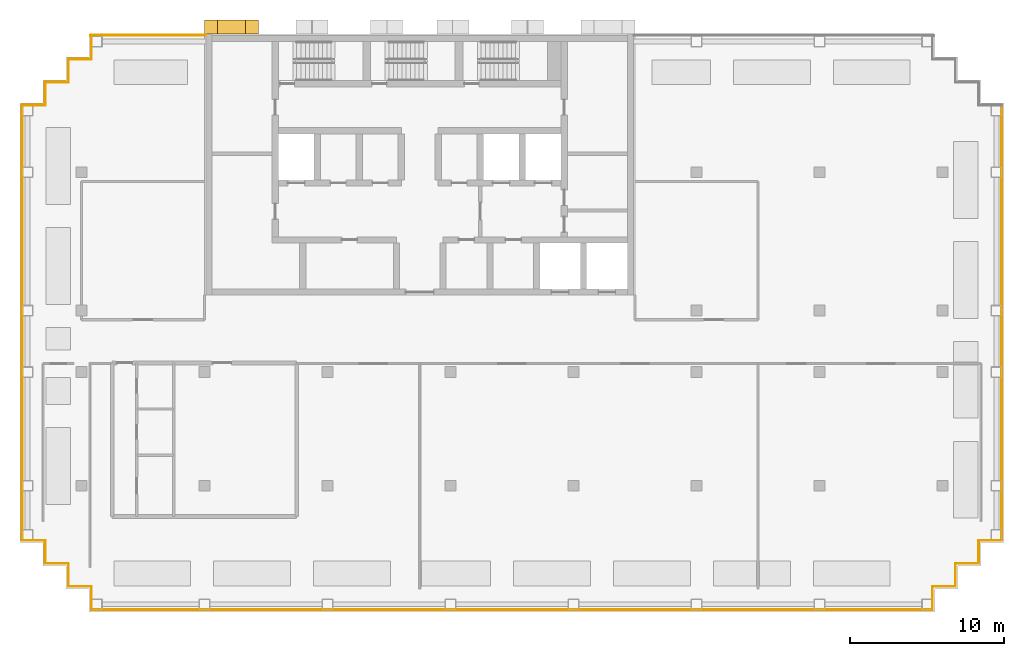
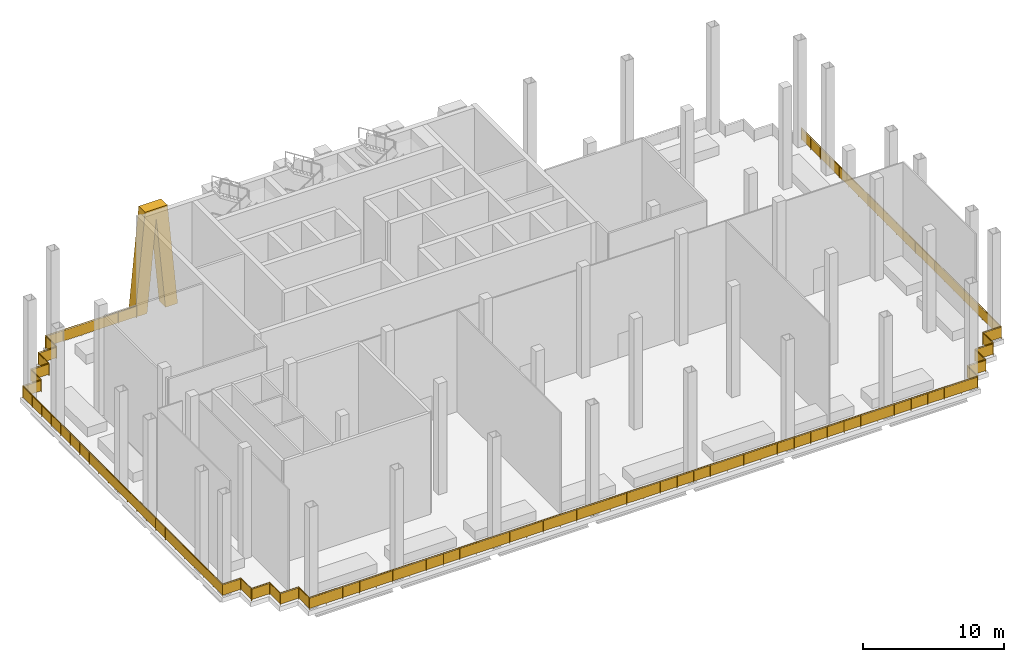
# One storey, part 6 of 9: 30 railings, 1 shading device.
"""IFC4 building model written with IfcOpenShell, lengths in metres."""

from ifc_helpers import new_model, si_unit, direction, frame, origin, origin_2d, place, context, subcontext, project, spatial, polyline, rectangle, circle, outline, extrude, material, layer, layer_set, type_object, element, save


model = new_model("IFC4")

# Units and contexts
model_context = context("Model", 3, precision=1e-05, world=origin(), true_north=direction((0.0, 1.0)))
body_context = subcontext(model_context, "Body", "Model", "MODEL_VIEW")
ifc_project = project(units=[si_unit("LENGTHUNIT", "METRE"), si_unit("AREAUNIT", "SQUARE_METRE"), si_unit("VOLUMEUNIT", "CUBIC_METRE"), si_unit("PLANEANGLEUNIT", "RADIAN"), si_unit("MASSUNIT", "GRAM", prefix="KILO")], contexts=[model_context])

# Site, building, storey
site_placement = place(None, origin())
site = spatial("IfcSite", under=ifc_project, at=site_placement, CompositionType="ELEMENT")
building_placement = place(site_placement, origin())
building = spatial("IfcBuilding", under=site, at=building_placement, Name="Vidyagriha Tower", CompositionType="ELEMENT")
storey_placement = place(building_placement, frame((0.0, 0.0, 194.10009765625)))
storey = spatial("IfcBuildingStorey", under=building, at=storey_placement, Name="L51", CompositionType="ELEMENT", Elevation=194.10009765625)

# Shading device
ifc_material_1 = material(Name="Precast concrete C40/50 with brick facing", Category="concrete")
ifc_layer = layer(ifc_material_1, 1.0)
ifc_layer_set = layer_set([ifc_layer], Name="Precast concrete C40/50 with brick facing")
shading_device_type = type_object("IfcShadingDeviceType", Name="Brick-faced rear rib forking 8 degrees", PredefinedType="USERDEFINED", material=ifc_layer_set)
shading_device_placement = place(storey_placement, frame((-10.5, 20.449951171875, 0.0), z_axis=(0.0, 0.0, 1.0), x_axis=(-1.0, 0.0, 0.0)))
element("IfcShadingDevice", 1, at=shading_device_placement, inside=storey, type_object=shading_device_type, Name="Rear rib fork L51 R08.5a", ObjectType="BLADE FIN", PredefinedType="USERDEFINED", context=body_context, shape_type="SweptSolid", body=[
    extrude(outline(polyline([(1.0, 0.0), (1.75, 7.919921875), (2.5, 0.0), (3.5, 0.0), (2.666748046875, 8.7998046875), (0.833251953125, 8.7998046875), (0.0, 0.0), (1.0, 0.0)])), frame((0.0, 0.449951171875, 0.0), z_axis=(0.0, -1.0, 0.0), x_axis=(1.0, 0.0, 0.0)), (0.0, 0.0, 1.0), 0.89990234375),
])

# Railings
ifc_material_2 = material(Name="Steel ASTM A500 Grade C black painted", Category="steel")
railing_type_1 = type_object("IfcRailingType", Name="Gallery guard 1100", PredefinedType="GUARDRAIL", material=ifc_material_2)
railing_1_placement = place(storey_placement, frame((-21.39990234375, 19.85009765625, 0.0)))
element("IfcRailing", 2, at=railing_1_placement, inside=storey, type_object=railing_type_1, Name="Gallery guard L51 1", PredefinedType="GUARDRAIL", context=body_context, shape_type="SweptSolid", body=[
    extrude(circle(Radius=0.02490234375, at=origin_2d()), frame((0.0, 0.0, 1.0751953125), z_axis=(0.0, 1.0, 0.0), x_axis=(-1.0, 0.0, 0.0)), (0.0, 0.0, 1.0), 0.0498046875),
    extrude(circle(Radius=0.02490234375, at=origin_2d()), frame((0.0, 0.0498046875, 1.0751953125), z_axis=(1.0, 0.0, 0.0), x_axis=(0.0, 1.0, 0.0)), (0.0, 0.0, 1.0), 7.469970703125),
    extrude(circle(Radius=0.02001953125, at=origin_2d()), origin(), (0.0, 0.0, 1.0), 1.050048828125),
    extrude(circle(Radius=0.02001953125, at=origin_2d()), frame((0.0, 0.0498046875, 0.0)), (0.0, 0.0, 1.0), 1.050048828125),
    extrude(circle(Radius=0.02001953125, at=origin_2d()), frame((1.493896484375, 0.0498046875, 0.0)), (0.0, 0.0, 1.0), 1.050048828125),
    extrude(circle(Radius=0.02001953125, at=origin_2d()), frame((2.988037109375, 0.0498046875, 0.0)), (0.0, 0.0, 1.0), 1.050048828125),
    extrude(circle(Radius=0.02001953125, at=origin_2d()), frame((4.48193359375, 0.0498046875, 0.0)), (0.0, 0.0, 1.0), 1.050048828125),
    extrude(circle(Radius=0.02001953125, at=origin_2d()), frame((5.97607421875, 0.0498046875, 0.0)), (0.0, 0.0, 1.0), 1.050048828125),
    extrude(circle(Radius=0.02001953125, at=origin_2d()), frame((7.469970703125, 0.0498046875, 0.0)), (0.0, 0.0, 1.0), 1.050048828125),
    extrude(rectangle(XDim=0.010009765625, YDim=0.900146484375, at=origin_2d()), frame((0.0, 0.0, 0.550048828125), z_axis=(0.0, 1.0, 0.0), x_axis=(-1.0, 0.0, 0.0)), (0.0, 0.0, 1.0), 0.0498046875),
    extrude(rectangle(XDim=0.010009765625, YDim=0.900146484375, at=origin_2d()), frame((0.0, 0.0498046875, 0.550048828125), z_axis=(1.0, 0.0, 0.0), x_axis=(0.0, 1.0, 0.0)), (0.0, 0.0, 1.0), 7.469970703125),
])
ifc_material_3 = material(Name="Steel ASTM A500 Grade C black painted", Category="steel")
railing_type_2 = type_object("IfcRailingType", Name="Wind floor guard 1100", PredefinedType="GUARDRAIL", material=ifc_material_3)
for number, where, name in (
    (3, (37.85009765625, 15.35009765625, 0.0), "Wind floor guard L51 7"),
    (4, (37.85009765625, 5.916748046875, 0.0), "Wind floor guard L51 8"),
    (5, (37.85009765625, -3.5166015625, 0.0), "Wind floor guard L51 9"),
):
    element("IfcRailing", number, at=place(storey_placement, frame(where)), inside=storey, type_object=railing_type_2, Name=name, PredefinedType="GUARDRAIL", context=body_context, shape_type="SweptSolid", body=[
        extrude(circle(Radius=0.02490234375, at=origin_2d()), frame((0.0, 0.0, 1.0751953125), z_axis=(0.0, -1.0, 0.0), x_axis=(1.0, 0.0, 0.0)), (0.0, 0.0, 1.0), 9.433349609375),
        extrude(circle(Radius=0.02001953125, at=origin_2d()), origin(), (0.0, 0.0, 1.0), 1.050048828125),
        extrude(circle(Radius=0.02001953125, at=origin_2d()), frame((0.0, -1.34765625, 0.0)), (0.0, 0.0, 1.0), 1.050048828125),
        extrude(circle(Radius=0.02001953125, at=origin_2d()), frame((0.0, -2.6953125, 0.0)), (0.0, 0.0, 1.0), 1.050048828125),
        extrude(circle(Radius=0.02001953125, at=origin_2d()), frame((0.0, -4.04296875, 0.0)), (0.0, 0.0, 1.0), 1.050048828125),
        extrude(circle(Radius=0.02001953125, at=origin_2d()), frame((0.0, -5.390380859375, 0.0)), (0.0, 0.0, 1.0), 1.050048828125),
        extrude(circle(Radius=0.02001953125, at=origin_2d()), frame((0.0, -6.738037109375, 0.0)), (0.0, 0.0, 1.0), 1.050048828125),
        extrude(circle(Radius=0.02001953125, at=origin_2d()), frame((0.0, -8.085693359375, 0.0)), (0.0, 0.0, 1.0), 1.050048828125),
        extrude(circle(Radius=0.02001953125, at=origin_2d()), frame((0.0, -9.433349609375, 0.0)), (0.0, 0.0, 1.0), 1.050048828125),
        extrude(rectangle(XDim=0.010009765625, YDim=0.900146484375, at=origin_2d()), frame((0.0, 0.0, 0.550048828125), z_axis=(0.0, -1.0, 0.0), x_axis=(1.0, 0.0, 0.0)), (0.0, 0.0, 1.0), 9.433349609375),
    ])
railing_2_placement = place(storey_placement, frame((37.85009765625, -12.949951171875, 0.0)))
element("IfcRailing", 6, at=railing_2_placement, inside=storey, type_object=railing_type_2, Name="Wind floor guard L51 10", PredefinedType="GUARDRAIL", context=body_context, shape_type="SweptSolid", body=[
    extrude(circle(Radius=0.02490234375, at=origin_2d()), frame((0.0, 0.0, 1.0751953125), z_axis=(-1.0, 0.0, 0.0), x_axis=(0.0, -1.0, 0.0)), (0.0, 0.0, 1.0), 1.5),
    extrude(circle(Radius=0.02001953125, at=origin_2d()), origin(), (0.0, 0.0, 1.0), 1.050048828125),
    extrude(circle(Radius=0.02001953125, at=origin_2d()), frame((-1.5, 0.0, 0.0)), (0.0, 0.0, 1.0), 1.050048828125),
    extrude(rectangle(XDim=0.010009765625, YDim=0.900146484375, at=origin_2d()), frame((0.0, 0.0, 0.550048828125), z_axis=(-1.0, 0.0, 0.0), x_axis=(0.0, -1.0, 0.0)), (0.0, 0.0, 1.0), 1.5),
])
railing_3_placement = place(storey_placement, frame((36.35009765625, -12.949951171875, 0.0)))
element("IfcRailing", 7, at=railing_3_placement, inside=storey, type_object=railing_type_2, Name="Wind floor guard L51 11", PredefinedType="GUARDRAIL", context=body_context, shape_type="SweptSolid", body=[
    extrude(circle(Radius=0.02490234375, at=origin_2d()), frame((0.0, 0.0, 1.0751953125), z_axis=(0.0, -1.0, 0.0), x_axis=(1.0, 0.0, 0.0)), (0.0, 0.0, 1.0), 1.5),
    extrude(circle(Radius=0.02001953125, at=origin_2d()), origin(), (0.0, 0.0, 1.0), 1.050048828125),
    extrude(circle(Radius=0.02001953125, at=origin_2d()), frame((0.0, -1.5, 0.0)), (0.0, 0.0, 1.0), 1.050048828125),
    extrude(rectangle(XDim=0.010009765625, YDim=0.900146484375, at=origin_2d()), frame((0.0, 0.0, 0.550048828125), z_axis=(0.0, -1.0, 0.0), x_axis=(1.0, 0.0, 0.0)), (0.0, 0.0, 1.0), 1.5),
])
railing_4_placement = place(storey_placement, frame((36.35009765625, -14.449951171875, 0.0)))
element("IfcRailing", 8, at=railing_4_placement, inside=storey, type_object=railing_type_2, Name="Wind floor guard L51 12", PredefinedType="GUARDRAIL", context=body_context, shape_type="SweptSolid", body=[
    extrude(circle(Radius=0.02490234375, at=origin_2d()), frame((0.0, 0.0, 1.0751953125), z_axis=(-1.0, 0.0, 0.0), x_axis=(0.0, -1.0, 0.0)), (0.0, 0.0, 1.0), 1.5),
    extrude(circle(Radius=0.02001953125, at=origin_2d()), origin(), (0.0, 0.0, 1.0), 1.050048828125),
    extrude(circle(Radius=0.02001953125, at=origin_2d()), frame((-1.5, 0.0, 0.0)), (0.0, 0.0, 1.0), 1.050048828125),
    extrude(rectangle(XDim=0.010009765625, YDim=0.900146484375, at=origin_2d()), frame((0.0, 0.0, 0.550048828125), z_axis=(-1.0, 0.0, 0.0), x_axis=(0.0, -1.0, 0.0)), (0.0, 0.0, 1.0), 1.5),
])
railing_5_placement = place(storey_placement, frame((34.85009765625, -14.449951171875, 0.0)))
element("IfcRailing", 9, at=railing_5_placement, inside=storey, type_object=railing_type_2, Name="Wind floor guard L51 13", PredefinedType="GUARDRAIL", context=body_context, shape_type="SweptSolid", body=[
    extrude(circle(Radius=0.02490234375, at=origin_2d()), frame((0.0, 0.0, 1.0751953125), z_axis=(0.0, -1.0, 0.0), x_axis=(1.0, 0.0, 0.0)), (0.0, 0.0, 1.0), 1.5),
    extrude(circle(Radius=0.02001953125, at=origin_2d()), origin(), (0.0, 0.0, 1.0), 1.050048828125),
    extrude(circle(Radius=0.02001953125, at=origin_2d()), frame((0.0, -1.5, 0.0)), (0.0, 0.0, 1.0), 1.050048828125),
    extrude(rectangle(XDim=0.010009765625, YDim=0.900146484375, at=origin_2d()), frame((0.0, 0.0, 0.550048828125), z_axis=(0.0, -1.0, 0.0), x_axis=(1.0, 0.0, 0.0)), (0.0, 0.0, 1.0), 1.5),
])
railing_6_placement = place(storey_placement, frame((34.85009765625, -15.949951171875, 0.0)))
element("IfcRailing", 10, at=railing_6_placement, inside=storey, type_object=railing_type_2, Name="Wind floor guard L51 14", PredefinedType="GUARDRAIL", context=body_context, shape_type="SweptSolid", body=[
    extrude(circle(Radius=0.02490234375, at=origin_2d()), frame((0.0, 0.0, 1.0751953125), z_axis=(-1.0, 0.0, 0.0), x_axis=(0.0, -1.0, 0.0)), (0.0, 0.0, 1.0), 1.5),
    extrude(circle(Radius=0.02001953125, at=origin_2d()), origin(), (0.0, 0.0, 1.0), 1.050048828125),
    extrude(circle(Radius=0.02001953125, at=origin_2d()), frame((-1.5, 0.0, 0.0)), (0.0, 0.0, 1.0), 1.050048828125),
    extrude(rectangle(XDim=0.010009765625, YDim=0.900146484375, at=origin_2d()), frame((0.0, 0.0, 0.550048828125), z_axis=(-1.0, 0.0, 0.0), x_axis=(0.0, -1.0, 0.0)), (0.0, 0.0, 1.0), 1.5),
])
railing_7_placement = place(storey_placement, frame((33.35009765625, -15.949951171875, 0.0)))
element("IfcRailing", 11, at=railing_7_placement, inside=storey, type_object=railing_type_2, Name="Wind floor guard L51 15", PredefinedType="GUARDRAIL", context=body_context, shape_type="SweptSolid", body=[
    extrude(circle(Radius=0.02490234375, at=origin_2d()), frame((0.0, 0.0, 1.0751953125), z_axis=(0.0, -1.0, 0.0), x_axis=(1.0, 0.0, 0.0)), (0.0, 0.0, 1.0), 1.5),
    extrude(circle(Radius=0.02001953125, at=origin_2d()), origin(), (0.0, 0.0, 1.0), 1.050048828125),
    extrude(circle(Radius=0.02001953125, at=origin_2d()), frame((0.0, -1.5, 0.0)), (0.0, 0.0, 1.0), 1.050048828125),
    extrude(rectangle(XDim=0.010009765625, YDim=0.900146484375, at=origin_2d()), frame((0.0, 0.0, 0.550048828125), z_axis=(0.0, -1.0, 0.0), x_axis=(1.0, 0.0, 0.0)), (0.0, 0.0, 1.0), 1.5),
])
railing_8_placement = place(storey_placement, frame((33.35009765625, -17.449951171875, 0.0)))
element("IfcRailing", 12, at=railing_8_placement, inside=storey, type_object=railing_type_2, Name="Wind floor guard L51 16", PredefinedType="GUARDRAIL", context=body_context, shape_type="SweptSolid", body=[
    extrude(circle(Radius=0.02490234375, at=origin_2d()), frame((0.0, 0.0, 1.0751953125), z_axis=(-1.0, 0.0, 0.0), x_axis=(0.0, -1.0, 0.0)), (0.0, 0.0, 1.0), 10.940185546875),
    extrude(circle(Radius=0.02001953125, at=origin_2d()), origin(), (0.0, 0.0, 1.0), 1.050048828125),
    extrude(circle(Radius=0.02001953125, at=origin_2d()), frame((-1.367431640625, 0.0, 0.0)), (0.0, 0.0, 1.0), 1.050048828125),
    extrude(circle(Radius=0.02001953125, at=origin_2d()), frame((-2.735107421875, 0.0, 0.0)), (0.0, 0.0, 1.0), 1.050048828125),
    extrude(circle(Radius=0.02001953125, at=origin_2d()), frame((-4.1025390625, 0.0, 0.0)), (0.0, 0.0, 1.0), 1.050048828125),
    extrude(circle(Radius=0.02001953125, at=origin_2d()), frame((-5.47021484375, 0.0, 0.0)), (0.0, 0.0, 1.0), 1.050048828125),
    extrude(circle(Radius=0.02001953125, at=origin_2d()), frame((-6.837646484375, 0.0, 0.0)), (0.0, 0.0, 1.0), 1.050048828125),
    extrude(circle(Radius=0.02001953125, at=origin_2d()), frame((-8.205078125, 0.0, 0.0)), (0.0, 0.0, 1.0), 1.050048828125),
    extrude(circle(Radius=0.02001953125, at=origin_2d()), frame((-9.57275390625, 0.0, 0.0)), (0.0, 0.0, 1.0), 1.050048828125),
    extrude(circle(Radius=0.02001953125, at=origin_2d()), frame((-10.940185546875, 0.0, 0.0)), (0.0, 0.0, 1.0), 1.050048828125),
    extrude(rectangle(XDim=0.010009765625, YDim=0.900146484375, at=origin_2d()), frame((0.0, 0.0, 0.550048828125), z_axis=(-1.0, 0.0, 0.0), x_axis=(0.0, -1.0, 0.0)), (0.0, 0.0, 1.0), 10.940185546875),
])
for number, where, name in (
    (13, (22.409912109375, -17.449951171875, 0.0), "Wind floor guard L51 17"),
    (14, (11.469970703125, -17.449951171875, 0.0), "Wind floor guard L51 18"),
    (15, (0.530029296875, -17.449951171875, 0.0), "Wind floor guard L51 19"),
):
    element("IfcRailing", number, at=place(storey_placement, frame(where)), inside=storey, type_object=railing_type_2, Name=name, PredefinedType="GUARDRAIL", context=body_context, shape_type="SweptSolid", body=[
        extrude(circle(Radius=0.02490234375, at=origin_2d()), frame((0.0, 0.0, 1.0751953125), z_axis=(-1.0, 0.0, 0.0), x_axis=(0.0, -1.0, 0.0)), (0.0, 0.0, 1.0), 10.93994140625),
        extrude(circle(Radius=0.02001953125, at=origin_2d()), origin(), (0.0, 0.0, 1.0), 1.050048828125),
        extrude(circle(Radius=0.02001953125, at=origin_2d()), frame((-1.367431640625, 0.0, 0.0)), (0.0, 0.0, 1.0), 1.050048828125),
        extrude(circle(Radius=0.02001953125, at=origin_2d()), frame((-2.73486328125, 0.0, 0.0)), (0.0, 0.0, 1.0), 1.050048828125),
        extrude(circle(Radius=0.02001953125, at=origin_2d()), frame((-4.1025390625, 0.0, 0.0)), (0.0, 0.0, 1.0), 1.050048828125),
        extrude(circle(Radius=0.02001953125, at=origin_2d()), frame((-5.469970703125, 0.0, 0.0)), (0.0, 0.0, 1.0), 1.050048828125),
        extrude(circle(Radius=0.02001953125, at=origin_2d()), frame((-6.83740234375, 0.0, 0.0)), (0.0, 0.0, 1.0), 1.050048828125),
        extrude(circle(Radius=0.02001953125, at=origin_2d()), frame((-8.205078125, 0.0, 0.0)), (0.0, 0.0, 1.0), 1.050048828125),
        extrude(circle(Radius=0.02001953125, at=origin_2d()), frame((-9.572509765625, 0.0, 0.0)), (0.0, 0.0, 1.0), 1.050048828125),
        extrude(circle(Radius=0.02001953125, at=origin_2d()), frame((-10.93994140625, 0.0, 0.0)), (0.0, 0.0, 1.0), 1.050048828125),
        extrude(rectangle(XDim=0.010009765625, YDim=0.900146484375, at=origin_2d()), frame((0.0, 0.0, 0.550048828125), z_axis=(-1.0, 0.0, 0.0), x_axis=(0.0, -1.0, 0.0)), (0.0, 0.0, 1.0), 10.93994140625),
    ])
railing_9_placement = place(storey_placement, frame((-10.409912109375, -17.449951171875, 0.0)))
element("IfcRailing", 16, at=railing_9_placement, inside=storey, type_object=railing_type_2, Name="Wind floor guard L51 20", PredefinedType="GUARDRAIL", context=body_context, shape_type="SweptSolid", body=[
    extrude(circle(Radius=0.02490234375, at=origin_2d()), frame((0.0, 0.0, 1.0751953125), z_axis=(-1.0, 0.0, 0.0), x_axis=(0.0, -1.0, 0.0)), (0.0, 0.0, 1.0), 10.940185546875),
    extrude(circle(Radius=0.02001953125, at=origin_2d()), origin(), (0.0, 0.0, 1.0), 1.050048828125),
    extrude(circle(Radius=0.02001953125, at=origin_2d()), frame((-1.367431640625, 0.0, 0.0)), (0.0, 0.0, 1.0), 1.050048828125),
    extrude(circle(Radius=0.02001953125, at=origin_2d()), frame((-2.735107421875, 0.0, 0.0)), (0.0, 0.0, 1.0), 1.050048828125),
    extrude(circle(Radius=0.02001953125, at=origin_2d()), frame((-4.1025390625, 0.0, 0.0)), (0.0, 0.0, 1.0), 1.050048828125),
    extrude(circle(Radius=0.02001953125, at=origin_2d()), frame((-5.47021484375, 0.0, 0.0)), (0.0, 0.0, 1.0), 1.050048828125),
    extrude(circle(Radius=0.02001953125, at=origin_2d()), frame((-6.837646484375, 0.0, 0.0)), (0.0, 0.0, 1.0), 1.050048828125),
    extrude(circle(Radius=0.02001953125, at=origin_2d()), frame((-8.205078125, 0.0, 0.0)), (0.0, 0.0, 1.0), 1.050048828125),
    extrude(circle(Radius=0.02001953125, at=origin_2d()), frame((-9.57275390625, 0.0, 0.0)), (0.0, 0.0, 1.0), 1.050048828125),
    extrude(circle(Radius=0.02001953125, at=origin_2d()), frame((-10.940185546875, 0.0, 0.0)), (0.0, 0.0, 1.0), 1.050048828125),
    extrude(rectangle(XDim=0.010009765625, YDim=0.900146484375, at=origin_2d()), frame((0.0, 0.0, 0.550048828125), z_axis=(-1.0, 0.0, 0.0), x_axis=(0.0, -1.0, 0.0)), (0.0, 0.0, 1.0), 10.940185546875),
])
railing_10_placement = place(storey_placement, frame((-21.35009765625, -17.449951171875, 0.0)))
element("IfcRailing", 17, at=railing_10_placement, inside=storey, type_object=railing_type_2, Name="Wind floor guard L51 21", PredefinedType="GUARDRAIL", context=body_context, shape_type="SweptSolid", body=[
    extrude(circle(Radius=0.02490234375, at=origin_2d()), frame((0.0, 0.0, 1.0751953125), z_axis=(0.0, 1.0, 0.0), x_axis=(-1.0, 0.0, 0.0)), (0.0, 0.0, 1.0), 1.5),
    extrude(circle(Radius=0.02001953125, at=origin_2d()), origin(), (0.0, 0.0, 1.0), 1.050048828125),
    extrude(circle(Radius=0.02001953125, at=origin_2d()), frame((0.0, 1.5, 0.0)), (0.0, 0.0, 1.0), 1.050048828125),
    extrude(rectangle(XDim=0.010009765625, YDim=0.900146484375, at=origin_2d()), frame((0.0, 0.0, 0.550048828125), z_axis=(0.0, 1.0, 0.0), x_axis=(-1.0, 0.0, 0.0)), (0.0, 0.0, 1.0), 1.5),
])
railing_11_placement = place(storey_placement, frame((-21.35009765625, -15.949951171875, 0.0)))
element("IfcRailing", 18, at=railing_11_placement, inside=storey, type_object=railing_type_2, Name="Wind floor guard L51 22", PredefinedType="GUARDRAIL", context=body_context, shape_type="SweptSolid", body=[
    extrude(circle(Radius=0.02490234375, at=origin_2d()), frame((0.0, 0.0, 1.0751953125), z_axis=(-1.0, 0.0, 0.0), x_axis=(0.0, -1.0, 0.0)), (0.0, 0.0, 1.0), 1.5),
    extrude(circle(Radius=0.02001953125, at=origin_2d()), origin(), (0.0, 0.0, 1.0), 1.050048828125),
    extrude(circle(Radius=0.02001953125, at=origin_2d()), frame((-1.5, 0.0, 0.0)), (0.0, 0.0, 1.0), 1.050048828125),
    extrude(rectangle(XDim=0.010009765625, YDim=0.900146484375, at=origin_2d()), frame((0.0, 0.0, 0.550048828125), z_axis=(-1.0, 0.0, 0.0), x_axis=(0.0, -1.0, 0.0)), (0.0, 0.0, 1.0), 1.5),
])
railing_12_placement = place(storey_placement, frame((-22.85009765625, -15.949951171875, 0.0)))
element("IfcRailing", 19, at=railing_12_placement, inside=storey, type_object=railing_type_2, Name="Wind floor guard L51 23", PredefinedType="GUARDRAIL", context=body_context, shape_type="SweptSolid", body=[
    extrude(circle(Radius=0.02490234375, at=origin_2d()), frame((0.0, 0.0, 1.0751953125), z_axis=(0.0, 1.0, 0.0), x_axis=(-1.0, 0.0, 0.0)), (0.0, 0.0, 1.0), 1.5),
    extrude(circle(Radius=0.02001953125, at=origin_2d()), origin(), (0.0, 0.0, 1.0), 1.050048828125),
    extrude(circle(Radius=0.02001953125, at=origin_2d()), frame((0.0, 1.5, 0.0)), (0.0, 0.0, 1.0), 1.050048828125),
    extrude(rectangle(XDim=0.010009765625, YDim=0.900146484375, at=origin_2d()), frame((0.0, 0.0, 0.550048828125), z_axis=(0.0, 1.0, 0.0), x_axis=(-1.0, 0.0, 0.0)), (0.0, 0.0, 1.0), 1.5),
])
railing_13_placement = place(storey_placement, frame((-22.85009765625, -14.449951171875, 0.0)))
element("IfcRailing", 20, at=railing_13_placement, inside=storey, type_object=railing_type_2, Name="Wind floor guard L51 24", PredefinedType="GUARDRAIL", context=body_context, shape_type="SweptSolid", body=[
    extrude(circle(Radius=0.02490234375, at=origin_2d()), frame((0.0, 0.0, 1.0751953125), z_axis=(-1.0, 0.0, 0.0), x_axis=(0.0, -1.0, 0.0)), (0.0, 0.0, 1.0), 1.5),
    extrude(circle(Radius=0.02001953125, at=origin_2d()), origin(), (0.0, 0.0, 1.0), 1.050048828125),
    extrude(circle(Radius=0.02001953125, at=origin_2d()), frame((-1.5, 0.0, 0.0)), (0.0, 0.0, 1.0), 1.050048828125),
    extrude(rectangle(XDim=0.010009765625, YDim=0.900146484375, at=origin_2d()), frame((0.0, 0.0, 0.550048828125), z_axis=(-1.0, 0.0, 0.0), x_axis=(0.0, -1.0, 0.0)), (0.0, 0.0, 1.0), 1.5),
])
railing_14_placement = place(storey_placement, frame((-24.35009765625, -14.449951171875, 0.0)))
element("IfcRailing", 21, at=railing_14_placement, inside=storey, type_object=railing_type_2, Name="Wind floor guard L51 25", PredefinedType="GUARDRAIL", context=body_context, shape_type="SweptSolid", body=[
    extrude(circle(Radius=0.02490234375, at=origin_2d()), frame((0.0, 0.0, 1.0751953125), z_axis=(0.0, 1.0, 0.0), x_axis=(-1.0, 0.0, 0.0)), (0.0, 0.0, 1.0), 1.5),
    extrude(circle(Radius=0.02001953125, at=origin_2d()), origin(), (0.0, 0.0, 1.0), 1.050048828125),
    extrude(circle(Radius=0.02001953125, at=origin_2d()), frame((0.0, 1.5, 0.0)), (0.0, 0.0, 1.0), 1.050048828125),
    extrude(rectangle(XDim=0.010009765625, YDim=0.900146484375, at=origin_2d()), frame((0.0, 0.0, 0.550048828125), z_axis=(0.0, 1.0, 0.0), x_axis=(-1.0, 0.0, 0.0)), (0.0, 0.0, 1.0), 1.5),
])
railing_15_placement = place(storey_placement, frame((-24.35009765625, -12.949951171875, 0.0)))
element("IfcRailing", 22, at=railing_15_placement, inside=storey, type_object=railing_type_2, Name="Wind floor guard L51 26", PredefinedType="GUARDRAIL", context=body_context, shape_type="SweptSolid", body=[
    extrude(circle(Radius=0.02490234375, at=origin_2d()), frame((0.0, 0.0, 1.0751953125), z_axis=(-1.0, 0.0, 0.0), x_axis=(0.0, -1.0, 0.0)), (0.0, 0.0, 1.0), 1.5),
    extrude(circle(Radius=0.02001953125, at=origin_2d()), origin(), (0.0, 0.0, 1.0), 1.050048828125),
    extrude(circle(Radius=0.02001953125, at=origin_2d()), frame((-1.5, 0.0, 0.0)), (0.0, 0.0, 1.0), 1.050048828125),
    extrude(rectangle(XDim=0.010009765625, YDim=0.900146484375, at=origin_2d()), frame((0.0, 0.0, 0.550048828125), z_axis=(-1.0, 0.0, 0.0), x_axis=(0.0, -1.0, 0.0)), (0.0, 0.0, 1.0), 1.5),
])
for number, where, name in (
    (23, (-25.85009765625, -12.949951171875, 0.0), "Wind floor guard L51 27"),
    (24, (-25.85009765625, -3.5166015625, 0.0), "Wind floor guard L51 28"),
    (25, (-25.85009765625, 5.916748046875, 0.0), "Wind floor guard L51 29"),
):
    element("IfcRailing", number, at=place(storey_placement, frame(where)), inside=storey, type_object=railing_type_2, Name=name, PredefinedType="GUARDRAIL", context=body_context, shape_type="SweptSolid", body=[
        extrude(circle(Radius=0.02490234375, at=origin_2d()), frame((0.0, 0.0, 1.0751953125), z_axis=(0.0, 1.0, 0.0), x_axis=(-1.0, 0.0, 0.0)), (0.0, 0.0, 1.0), 9.433349609375),
        extrude(circle(Radius=0.02001953125, at=origin_2d()), origin(), (0.0, 0.0, 1.0), 1.050048828125),
        extrude(circle(Radius=0.02001953125, at=origin_2d()), frame((0.0, 1.34765625, 0.0)), (0.0, 0.0, 1.0), 1.050048828125),
        extrude(circle(Radius=0.02001953125, at=origin_2d()), frame((0.0, 2.6953125, 0.0)), (0.0, 0.0, 1.0), 1.050048828125),
        extrude(circle(Radius=0.02001953125, at=origin_2d()), frame((0.0, 4.04296875, 0.0)), (0.0, 0.0, 1.0), 1.050048828125),
        extrude(circle(Radius=0.02001953125, at=origin_2d()), frame((0.0, 5.390380859375, 0.0)), (0.0, 0.0, 1.0), 1.050048828125),
        extrude(circle(Radius=0.02001953125, at=origin_2d()), frame((0.0, 6.738037109375, 0.0)), (0.0, 0.0, 1.0), 1.050048828125),
        extrude(circle(Radius=0.02001953125, at=origin_2d()), frame((0.0, 8.085693359375, 0.0)), (0.0, 0.0, 1.0), 1.050048828125),
        extrude(circle(Radius=0.02001953125, at=origin_2d()), frame((0.0, 9.433349609375, 0.0)), (0.0, 0.0, 1.0), 1.050048828125),
        extrude(rectangle(XDim=0.010009765625, YDim=0.900146484375, at=origin_2d()), frame((0.0, 0.0, 0.550048828125), z_axis=(0.0, 1.0, 0.0), x_axis=(-1.0, 0.0, 0.0)), (0.0, 0.0, 1.0), 9.433349609375),
    ])
railing_16_placement = place(storey_placement, frame((-25.85009765625, 15.35009765625, 0.0)))
element("IfcRailing", 26, at=railing_16_placement, inside=storey, type_object=railing_type_2, Name="Wind floor guard L51 30", PredefinedType="GUARDRAIL", context=body_context, shape_type="SweptSolid", body=[
    extrude(circle(Radius=0.02490234375, at=origin_2d()), frame((0.0, 0.0, 1.0751953125), z_axis=(1.0, 0.0, 0.0), x_axis=(0.0, 1.0, 0.0)), (0.0, 0.0, 1.0), 1.5),
    extrude(circle(Radius=0.02001953125, at=origin_2d()), origin(), (0.0, 0.0, 1.0), 1.050048828125),
    extrude(circle(Radius=0.02001953125, at=origin_2d()), frame((1.5, 0.0, 0.0)), (0.0, 0.0, 1.0), 1.050048828125),
    extrude(rectangle(XDim=0.010009765625, YDim=0.900146484375, at=origin_2d()), frame((0.0, 0.0, 0.550048828125), z_axis=(1.0, 0.0, 0.0), x_axis=(0.0, 1.0, 0.0)), (0.0, 0.0, 1.0), 1.5),
])
railing_17_placement = place(storey_placement, frame((-24.35009765625, 15.35009765625, 0.0)))
element("IfcRailing", 27, at=railing_17_placement, inside=storey, type_object=railing_type_2, Name="Wind floor guard L51 31", PredefinedType="GUARDRAIL", context=body_context, shape_type="SweptSolid", body=[
    extrude(circle(Radius=0.02490234375, at=origin_2d()), frame((0.0, 0.0, 1.0751953125), z_axis=(0.0, 1.0, 0.0), x_axis=(-1.0, 0.0, 0.0)), (0.0, 0.0, 1.0), 1.5),
    extrude(circle(Radius=0.02001953125, at=origin_2d()), origin(), (0.0, 0.0, 1.0), 1.050048828125),
    extrude(circle(Radius=0.02001953125, at=origin_2d()), frame((0.0, 1.5, 0.0)), (0.0, 0.0, 1.0), 1.050048828125),
    extrude(rectangle(XDim=0.010009765625, YDim=0.900146484375, at=origin_2d()), frame((0.0, 0.0, 0.550048828125), z_axis=(0.0, 1.0, 0.0), x_axis=(-1.0, 0.0, 0.0)), (0.0, 0.0, 1.0), 1.5),
])
railing_18_placement = place(storey_placement, frame((-24.35009765625, 16.85009765625, 0.0)))
element("IfcRailing", 28, at=railing_18_placement, inside=storey, type_object=railing_type_2, Name="Wind floor guard L51 32", PredefinedType="GUARDRAIL", context=body_context, shape_type="SweptSolid", body=[
    extrude(circle(Radius=0.02490234375, at=origin_2d()), frame((0.0, 0.0, 1.0751953125), z_axis=(1.0, 0.0, 0.0), x_axis=(0.0, 1.0, 0.0)), (0.0, 0.0, 1.0), 1.5),
    extrude(circle(Radius=0.02001953125, at=origin_2d()), origin(), (0.0, 0.0, 1.0), 1.050048828125),
    extrude(circle(Radius=0.02001953125, at=origin_2d()), frame((1.5, 0.0, 0.0)), (0.0, 0.0, 1.0), 1.050048828125),
    extrude(rectangle(XDim=0.010009765625, YDim=0.900146484375, at=origin_2d()), frame((0.0, 0.0, 0.550048828125), z_axis=(1.0, 0.0, 0.0), x_axis=(0.0, 1.0, 0.0)), (0.0, 0.0, 1.0), 1.5),
])
railing_19_placement = place(storey_placement, frame((-22.85009765625, 16.85009765625, 0.0)))
element("IfcRailing", 29, at=railing_19_placement, inside=storey, type_object=railing_type_2, Name="Wind floor guard L51 33", PredefinedType="GUARDRAIL", context=body_context, shape_type="SweptSolid", body=[
    extrude(circle(Radius=0.02490234375, at=origin_2d()), frame((0.0, 0.0, 1.0751953125), z_axis=(0.0, 1.0, 0.0), x_axis=(-1.0, 0.0, 0.0)), (0.0, 0.0, 1.0), 1.5),
    extrude(circle(Radius=0.02001953125, at=origin_2d()), origin(), (0.0, 0.0, 1.0), 1.050048828125),
    extrude(circle(Radius=0.02001953125, at=origin_2d()), frame((0.0, 1.5, 0.0)), (0.0, 0.0, 1.0), 1.050048828125),
    extrude(rectangle(XDim=0.010009765625, YDim=0.900146484375, at=origin_2d()), frame((0.0, 0.0, 0.550048828125), z_axis=(0.0, 1.0, 0.0), x_axis=(-1.0, 0.0, 0.0)), (0.0, 0.0, 1.0), 1.5),
])
railing_20_placement = place(storey_placement, frame((-22.85009765625, 18.35009765625, 0.0)))
element("IfcRailing", 30, at=railing_20_placement, inside=storey, type_object=railing_type_2, Name="Wind floor guard L51 34", PredefinedType="GUARDRAIL", context=body_context, shape_type="SweptSolid", body=[
    extrude(circle(Radius=0.02490234375, at=origin_2d()), frame((0.0, 0.0, 1.0751953125), z_axis=(1.0, 0.0, 0.0), x_axis=(0.0, 1.0, 0.0)), (0.0, 0.0, 1.0), 1.5),
    extrude(circle(Radius=0.02001953125, at=origin_2d()), origin(), (0.0, 0.0, 1.0), 1.050048828125),
    extrude(circle(Radius=0.02001953125, at=origin_2d()), frame((1.5, 0.0, 0.0)), (0.0, 0.0, 1.0), 1.050048828125),
    extrude(rectangle(XDim=0.010009765625, YDim=0.900146484375, at=origin_2d()), frame((0.0, 0.0, 0.550048828125), z_axis=(1.0, 0.0, 0.0), x_axis=(0.0, 1.0, 0.0)), (0.0, 0.0, 1.0), 1.5),
])
railing_21_placement = place(storey_placement, frame((-21.35009765625, 18.35009765625, 0.0)))
element("IfcRailing", 31, at=railing_21_placement, inside=storey, type_object=railing_type_2, Name="Wind floor guard L51 35", PredefinedType="GUARDRAIL", context=body_context, shape_type="SweptSolid", body=[
    extrude(circle(Radius=0.02490234375, at=origin_2d()), frame((0.0, 0.0, 1.0751953125), z_axis=(0.0, 1.0, 0.0), x_axis=(-1.0, 0.0, 0.0)), (0.0, 0.0, 1.0), 1.5),
    extrude(circle(Radius=0.02001953125, at=origin_2d()), origin(), (0.0, 0.0, 1.0), 1.050048828125),
    extrude(circle(Radius=0.02001953125, at=origin_2d()), frame((0.0, 1.5, 0.0)), (0.0, 0.0, 1.0), 1.050048828125),
    extrude(rectangle(XDim=0.010009765625, YDim=0.900146484375, at=origin_2d()), frame((0.0, 0.0, 0.550048828125), z_axis=(0.0, 1.0, 0.0), x_axis=(-1.0, 0.0, 0.0)), (0.0, 0.0, 1.0), 1.5),
])

save(model, "model.ifc")
